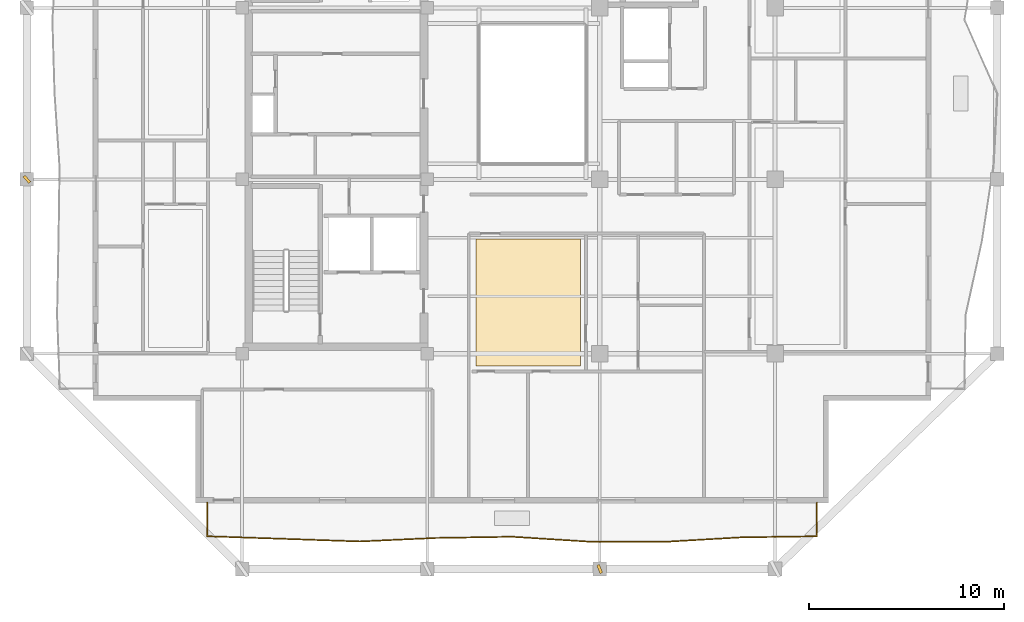
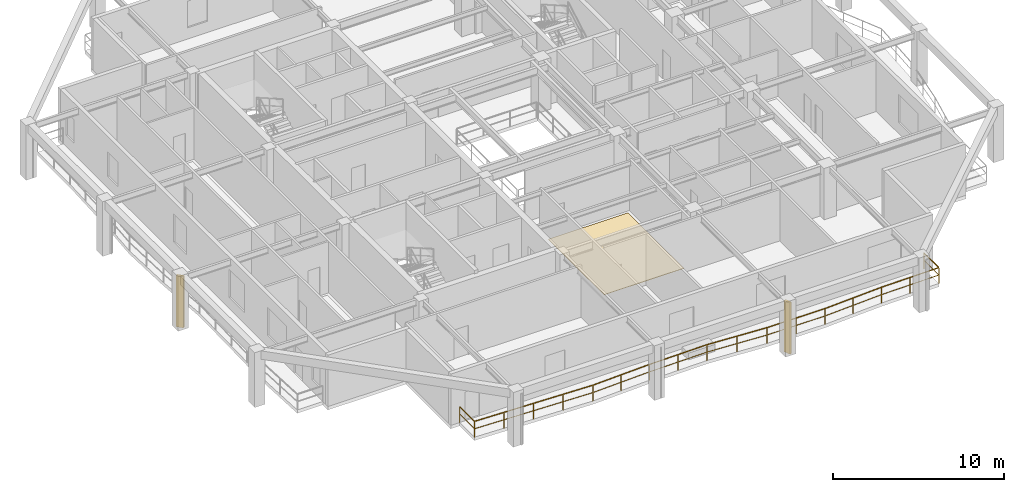
# One storey, part 8 of 12: 2 shading devices, 1 covering, 1 railing.
"""IFC4 building model written with IfcOpenShell, lengths in metres."""

import ifcopenshell
import ifcopenshell.guid

model = None  # the IFC model being written
_history = None  # IfcOwnerHistory: only IFC2X3 demands one
_inside = {}  # id of a spatial element -> (the spatial element, [elements in it])
_under = {}  # id of a project, library or spatial element -> (it, [spatial elements below it])
_declared = {}  # id of a project -> (the project, [libraries it declares])
_typed = {}  # id of a type object -> (the type object, [elements of that type])
_made_of = {}  # id of a material, layer set ... -> (it, [elements and type objects made of it])


def new_model(schema):
    """Start an empty IFC model of exactly this schema.

    Asked for "IFC4X3", IfcOpenShell would pick the latest addendum, in which some entities
    have other attributes; the version numbers below select the first issue.
    IFC2X3 requires an IfcOwnerHistory on every rooted entity: one is made here for all.
    """
    global model, _history
    if schema == "IFC4X3":
        model = ifcopenshell.file(schema_version=(4, 3, 0, 0))
    else:
        model = ifcopenshell.file(schema=schema)
    _inside.clear()
    _under.clear()
    _declared.clear()
    _typed.clear()
    _made_of.clear()
    _history = None
    if model.schema == "IFC2X3":
        org = make("IfcOrganization", Name="unknown")
        user = make(
            "IfcPersonAndOrganization",
            ThePerson=make("IfcPerson", FamilyName="unknown"),
            TheOrganization=org,
        )
        app = make(
            "IfcApplication",
            ApplicationDeveloper=org,
            Version="unknown",
            ApplicationFullName="unknown",
            ApplicationIdentifier="unknown",
        )
        _history = make(
            "IfcOwnerHistory",
            OwningUser=user,
            OwningApplication=app,
            ChangeAction="ADDED",
            CreationDate=0,
        )
    return model


def make(cls, **values):
    """One entity of the class cls with the attributes given. An attribute that is None is left unset."""
    return model.create_entity(
        cls, **{name: value for name, value in values.items() if value is not None}
    )


def rooted(cls, **values):
    """An entity with a GlobalId (a new one), such as an element, a storey or a relation."""
    return make(cls, GlobalId=ifcopenshell.guid.new(), OwnerHistory=_history, **values)


def si_unit(unit_type, name, prefix=None):
    """IfcSIUnit, for example si_unit("LENGTHUNIT", "METRE", prefix="MILLI")."""
    return make("IfcSIUnit", UnitType=unit_type, Prefix=prefix, Name=name)


def assignment(units):
    """IfcUnitAssignment: the units of a project."""
    return None if units is None else make("IfcUnitAssignment", Units=units)


def point(xyz):
    """IfcCartesianPoint."""
    return None if xyz is None else make("IfcCartesianPoint", Coordinates=xyz)


def direction(xyz):
    """IfcDirection."""
    return None if xyz is None else make("IfcDirection", DirectionRatios=xyz)


def frame(location, z_axis=None, x_axis=None):
    """IfcAxis2Placement3D, a coordinate frame: its origin and axes. An axis left out is left unset."""
    return make(
        "IfcAxis2Placement3D",
        Location=point(location),
        Axis=direction(z_axis),
        RefDirection=direction(x_axis),
    )


def frame_2d(location, x_axis=None):
    """IfcAxis2Placement2D, a coordinate frame in the plane: its origin and x axis."""
    return make(
        "IfcAxis2Placement2D", Location=point(location), RefDirection=direction(x_axis)
    )


def origin():
    """The frame at (0, 0, 0) with its axes left unset."""
    return frame((0.0, 0.0, 0.0))


def origin_2d():
    """The frame at (0, 0) in the plane with its x axis left unset."""
    return frame_2d((0.0, 0.0))


def place(relative_to, where):
    """IfcLocalPlacement: puts the frame where relative to a parent placement (None: the world)."""
    return make(
        "IfcLocalPlacement", PlacementRelTo=relative_to, RelativePlacement=where
    )


def context(
    kind, dimensions, precision=None, world=None, true_north=None, identifier=None
):
    """IfcGeometricRepresentationContext, for example the 3D "Model" context."""
    return make(
        "IfcGeometricRepresentationContext",
        ContextIdentifier=identifier,
        ContextType=kind,
        CoordinateSpaceDimension=dimensions,
        Precision=precision,
        WorldCoordinateSystem=world,
        TrueNorth=true_north,
    )


def subcontext(parent, identifier, kind, view, scale=None):
    """IfcGeometricRepresentationSubContext, for example "Body" below "Model"."""
    return make(
        "IfcGeometricRepresentationSubContext",
        ContextIdentifier=identifier,
        ContextType=kind,
        ParentContext=parent,
        TargetScale=scale,
        TargetView=view,
    )


def project(units=None, contexts=None):
    """IfcProject with its units and contexts."""
    return rooted(
        "IfcProject",
        Name="project",
        RepresentationContexts=contexts,
        UnitsInContext=assignment(units),
    )


def spatial(cls, under=None, at=None, **own):
    """A site, building, storey or space (cls), placed at a placement, below another one or the project."""
    s = rooted(cls, ObjectPlacement=at, **own)
    if under is not None:
        _under.setdefault(under.id(), (under, []))[1].append(s)
    return s


def polyline(points):
    """IfcPolyline through the points."""
    return make("IfcPolyline", Points=[point(p) for p in points])


def profile(cls, at=None, kind="AREA", **sizes):
    """A parametric profile (cls). Its sizes go by their IFC names, for example OverallWidth=200.0."""
    return make(cls, ProfileType=kind, Position=at, **sizes)


def rectangle(**sizes):
    """IfcRectangleProfileDef."""
    return profile("IfcRectangleProfileDef", **sizes)


def outline(outer, holes=None, kind="AREA"):
    """IfcArbitraryClosedProfileDef: a profile drawn as a closed curve; with holes, ...WithVoids."""
    if holes is None:
        return make("IfcArbitraryClosedProfileDef", ProfileType=kind, OuterCurve=outer)
    return make(
        "IfcArbitraryProfileDefWithVoids",
        ProfileType=kind,
        OuterCurve=outer,
        InnerCurves=holes,
    )


def extrude(swept, where, along, depth):
    """IfcExtrudedAreaSolid: the profile swept, set in the frame where, extruded along a direction by depth."""
    return make(
        "IfcExtrudedAreaSolid",
        SweptArea=swept,
        Position=where,
        ExtrudedDirection=direction(along),
        Depth=depth,
    )


def shape(context_of_items, identifier, shape_type, items):
    """IfcShapeRepresentation: the items that make up one representation, for example the "Body"."""
    return make(
        "IfcShapeRepresentation",
        ContextOfItems=context_of_items,
        RepresentationIdentifier=identifier,
        RepresentationType=shape_type,
        Items=items,
    )


def material(Name=None, Category=None):
    """IfcMaterial."""
    return make("IfcMaterial", Name=Name, Category=Category)


def layer(
    of_material, thickness, ventilated=None, Name=None, Category=None, Priority=None
):
    """IfcMaterialLayer: one layer of a wall or slab, of a material (None: an air gap)."""
    return make(
        "IfcMaterialLayer",
        Material=of_material,
        LayerThickness=thickness,
        IsVentilated=ventilated,
        Name=Name,
        Category=Category,
        Priority=Priority,
    )


def layer_set(layers, Name=None):
    """IfcMaterialLayerSet."""
    return make("IfcMaterialLayerSet", MaterialLayers=layers, LayerSetName=Name)


def made_of(thing, what):
    """Note that an element or type object is made of a material, layer set ...; save() writes the relation."""
    if what is not None:
        _made_of.setdefault(what.id(), (what, []))[1].append(thing)
    return thing


def type_object(cls, material=None, **own):
    """A type object (cls), such as IfcWallType, which elements share."""
    return made_of(rooted(cls, **own), material)


def element(
    cls,
    number,
    at=None,
    inside=None,
    cuts=None,
    type_object=None,
    material=None,
    context=None,
    identifier="Body",
    shape_type=None,
    held_by="IfcProductDefinitionShape",
    body=None,
    shapes=None,
    **own,
):
    """One element of the class cls, such as IfcWall. Its Tag is "e" and its number.

    at: its placement. inside: the storey or other place that contains it. cuts: it is an
    opening in that element (IfcRelVoidsElement). A single representation is given by context,
    identifier, shape_type and body (its items); several are given by shapes. held_by: the class
    of the entity that holds the representations. save() writes the other relations.
    """
    e = rooted(cls, Tag="e%d" % number, ObjectPlacement=at, **own)
    if body is not None:
        shapes = [shape(context, identifier, shape_type, body)]
    if shapes is not None:
        e.Representation = make(held_by, Representations=shapes)
    if inside is not None:
        _inside.setdefault(inside.id(), (inside, []))[1].append(e)
    if cuts is not None:
        rooted(
            "IfcRelVoidsElement", RelatingBuildingElement=cuts, RelatedOpeningElement=e
        )
    if type_object is not None:
        _typed.setdefault(type_object.id(), (type_object, []))[1].append(e)
    return made_of(e, material)


def aggregate(whole, parts):
    """IfcRelAggregates: a whole, such as a stair, and the parts it consists of."""
    return rooted("IfcRelAggregates", RelatingObject=whole, RelatedObjects=parts)


def save(model, path):
    """Write the relations noted so far, then the file.

    IfcRelAggregates (storeys below a building ...), IfcRelContainedInSpatialStructure (elements
    in a storey), IfcRelDefinesByType, IfcRelAssociatesMaterial and IfcRelDeclares: one each for
    every whole, place, type object, material and project.
    """
    for whole, parts in _under.values():
        aggregate(whole, parts)
    for where, things in _inside.values():
        rooted(
            "IfcRelContainedInSpatialStructure",
            RelatedElements=things,
            RelatingStructure=where,
        )
    for kind, things in _typed.values():
        rooted("IfcRelDefinesByType", RelatedObjects=things, RelatingType=kind)
    for what, things in _made_of.values():
        rooted("IfcRelAssociatesMaterial", RelatedObjects=things, RelatingMaterial=what)
    for by, libraries in _declared.values():
        rooted("IfcRelDeclares", RelatingContext=by, RelatedDefinitions=libraries)
    model.write(path)


model = new_model("IFC4")

# Units and contexts
model_context = context("Model", 3, precision=1e-05, world=origin(), true_north=direction((0.0, 1.0)))
body_context = subcontext(model_context, "Body", "Model", "MODEL_VIEW")
ifc_project = project(units=[si_unit("LENGTHUNIT", "METRE"), si_unit("AREAUNIT", "SQUARE_METRE"), si_unit("VOLUMEUNIT", "CUBIC_METRE"), si_unit("PLANEANGLEUNIT", "RADIAN"), si_unit("MASSUNIT", "GRAM", prefix="KILO")], contexts=[model_context])

# Site, building, storey
site_placement = place(None, origin())
site = spatial("IfcSite", under=ifc_project, at=site_placement, CompositionType="ELEMENT")
building_placement = place(site_placement, origin())
building = spatial("IfcBuilding", under=site, at=building_placement, Name="Kundavana Baori Tower", CompositionType="ELEMENT")
storey_placement = place(building_placement, frame((0.0, 0.0, 241.39990234375)))
storey = spatial("IfcBuildingStorey", under=building, at=storey_placement, Name="L59", CompositionType="ELEMENT", Elevation=241.39990234375)

# Covering
ifc_material_1 = material(Name="Honed Kota Stone and Terrazzo Flooring", Category="masonry")
ifc_layer = layer(ifc_material_1, 0.030029296875, Name="COV-INT-FLR")
ifc_layer_set = layer_set([ifc_layer], Name="Honed Kota Stone and Terrazzo Flooring")
covering_type = type_object("IfcCoveringType", Name="COV-INT-FLR", PredefinedType="FLOORING", material=ifc_layer_set)
covering_placement = place(storey_placement, origin())
element("IfcCovering", 1, at=covering_placement, inside=storey, type_object=covering_type, Name="L59 Room Finished Stone Flooring 3", PredefinedType="FLOORING", context=body_context, shape_type="SweptSolid", body=[
    extrude(outline(polyline([(27.43994140625, 14.6201171875), (32.81005859375, 14.6201171875), (32.81005859375, 21.139892578125), (27.43994140625, 21.139892578125), (27.43994140625, 14.6201171875)])), origin(), (0.0, 0.0, 1.0), 0.030029296875),
])

# Railing
ifc_material_2 = material(Name="Architectural Patinated Bronze Metalwork")
railing_type = type_object("IfcRailingType", Name="RL-BAL-1150", PredefinedType="BALUSTRADE", material=ifc_material_2)
railing_placement = place(storey_placement, frame((44.949951171875, 7.60009765625, 0.0)))
element("IfcRailing", 2, at=railing_placement, inside=storey, type_object=railing_type, Name="L59 Loggia Balcony Balustrade S", PredefinedType="BALUSTRADE", context=body_context, shape_type="SweptSolid", body=[
    extrude(rectangle(XDim=0.048095703125, YDim=0.048095703125, at=origin_2d()), frame((0.0, 0.0, 1.1259765625), z_axis=(0.0, -1.0, 0.0), x_axis=(1.0, 0.0, 0.0)), (0.0, 0.0, 1.0), 1.72021484375),
    extrude(rectangle(XDim=0.03125, YDim=0.03125, at=origin_2d()), frame((0.0, 0.0, 0.597900390625), z_axis=(0.0, -1.0, 0.0), x_axis=(1.0, 0.0, 0.0)), (0.0, 0.0, 1.0), 1.72021484375),
    extrude(rectangle(XDim=0.048095703125, YDim=0.048095703125, at=origin_2d()), frame((0.0, -1.72021484375, 1.1259765625), z_axis=(-0.999890627591, -0.014789619843, 0.0), x_axis=(0.014789619843, -0.999890627591, 0.0)), (0.0, 0.0, 1.0), 3.912353515625),
    extrude(rectangle(XDim=0.03125, YDim=0.03125, at=origin_2d()), frame((0.0, -1.72021484375, 0.597900390625), z_axis=(-0.999890627591, -0.014789619843, 0.0), x_axis=(0.014789619843, -0.999890627591, 0.0)), (0.0, 0.0, 1.0), 3.912353515625),
    extrude(rectangle(XDim=0.048095703125, YDim=0.048095703125, at=origin_2d()), frame((-3.911865234375, -1.778076171875, 1.1259765625), z_axis=(-0.998277378648, -0.058670906581, 0.0), x_axis=(0.058670906581, -0.998277378648, 0.0)), (0.0, 0.0, 1.0), 3.919921875),
    extrude(rectangle(XDim=0.03125, YDim=0.03125, at=origin_2d()), frame((-3.911865234375, -1.778076171875, 0.597900390625), z_axis=(-0.998277378648, -0.058670906581, 0.0), x_axis=(0.058670906581, -0.998277378648, 0.0)), (0.0, 0.0, 1.0), 3.919921875),
    extrude(rectangle(XDim=0.048095703125, YDim=0.048095703125, at=origin_2d()), frame((-7.824951171875, -2.008056640625, 1.1259765625), z_axis=(-0.999993673351, 0.003557141749, 0.0), x_axis=(-0.003557141749, -0.999993673351, 0.0)), (0.0, 0.0, 1.0), 3.912109375),
    extrude(rectangle(XDim=0.03125, YDim=0.03125, at=origin_2d()), frame((-7.824951171875, -2.008056640625, 0.597900390625), z_axis=(-0.999993673351, 0.003557141749, 0.0), x_axis=(-0.003557141749, -0.999993673351, 0.0)), (0.0, 0.0, 1.0), 3.912109375),
    extrude(rectangle(XDim=0.048095703125, YDim=0.048095703125, at=origin_2d()), frame((-11.737060546875, -1.994140625, 1.1259765625), z_axis=(-0.997996698184, 0.063266028911, 0.0), x_axis=(-0.063266028911, -0.997996698184, 0.0)), (0.0, 0.0, 1.0), 3.920654296875),
    extrude(rectangle(XDim=0.03125, YDim=0.03125, at=origin_2d()), frame((-11.737060546875, -1.994140625, 0.597900390625), z_axis=(-0.997996698184, 0.063266028911, 0.0), x_axis=(-0.063266028911, -0.997996698184, 0.0)), (0.0, 0.0, 1.0), 3.920654296875),
    extrude(rectangle(XDim=0.048095703125, YDim=0.048095703125, at=origin_2d()), frame((-15.64990234375, -1.74609375, 1.1259765625), z_axis=(-0.999870406531, -0.016098762162, 0.0), x_axis=(0.016098762162, -0.999870406531, 0.0)), (0.0, 0.0, 1.0), 3.91259765625),
    extrude(rectangle(XDim=0.03125, YDim=0.03125, at=origin_2d()), frame((-15.64990234375, -1.74609375, 0.597900390625), z_axis=(-0.999870406531, -0.016098762162, 0.0), x_axis=(0.016098762162, -0.999870406531, 0.0)), (0.0, 0.0, 1.0), 3.91259765625),
    extrude(rectangle(XDim=0.048095703125, YDim=0.048095703125, at=origin_2d()), frame((-19.56201171875, -1.80908203125, 1.1259765625), z_axis=(-0.99896712605, -0.04543876177, 0.0), x_axis=(0.04543876177, -0.99896712605, 0.0)), (0.0, 0.0, 1.0), 3.9169921875),
    extrude(rectangle(XDim=0.03125, YDim=0.03125, at=origin_2d()), frame((-19.56201171875, -1.80908203125, 0.597900390625), z_axis=(-0.99896712605, -0.04543876177, 0.0), x_axis=(0.04543876177, -0.99896712605, 0.0)), (0.0, 0.0, 1.0), 3.9169921875),
    extrude(rectangle(XDim=0.048095703125, YDim=0.048095703125, at=origin_2d()), frame((-23.474853515625, -1.987060546875, 1.1259765625), z_axis=(-0.999413896813, 0.03423248249, 0.0), x_axis=(-0.03423248249, -0.999413896813, 0.0)), (0.0, 0.0, 1.0), 3.915283203125),
    extrude(rectangle(XDim=0.03125, YDim=0.03125, at=origin_2d()), frame((-23.474853515625, -1.987060546875, 0.597900390625), z_axis=(-0.999413896813, 0.03423248249, 0.0), x_axis=(-0.03423248249, -0.999413896813, 0.0)), (0.0, 0.0, 1.0), 3.915283203125),
    extrude(rectangle(XDim=0.048095703125, YDim=0.048095703125, at=origin_2d()), frame((-27.387939453125, -1.85302734375, 1.1259765625), z_axis=(-0.999424227759, 0.03392952945, 0.0), x_axis=(-0.03392952945, -0.999424227759, 0.0)), (0.0, 0.0, 1.0), 3.914306640625),
    extrude(rectangle(XDim=0.03125, YDim=0.03125, at=origin_2d()), frame((-27.387939453125, -1.85302734375, 0.597900390625), z_axis=(-0.999424227759, 0.03392952945, 0.0), x_axis=(-0.03392952945, -0.999424227759, 0.0)), (0.0, 0.0, 1.0), 3.914306640625),
    extrude(rectangle(XDim=0.048095703125, YDim=0.048095703125, at=origin_2d()), frame((-31.300048828125, -1.72021484375, 1.1259765625), z_axis=(0.0, 1.0, 0.0), x_axis=(-1.0, 0.0, 0.0)), (0.0, 0.0, 1.0), 1.72021484375),
    extrude(rectangle(XDim=0.03125, YDim=0.03125, at=origin_2d()), frame((-31.300048828125, -1.72021484375, 0.597900390625), z_axis=(0.0, 1.0, 0.0), x_axis=(-1.0, 0.0, 0.0)), (0.0, 0.0, 1.0), 1.72021484375),
    extrude(rectangle(XDim=0.0419921875, YDim=0.0419921875, at=origin_2d()), origin(), (0.0, 0.0, 1.0), 1.101806640625),
    extrude(rectangle(XDim=0.0419921875, YDim=0.0419921875, at=origin_2d()), frame((0.0, -1.72021484375, 0.0)), (0.0, 0.0, 1.0), 1.101806640625),
    extrude(rectangle(XDim=0.0419921875, YDim=0.0419921875, at=origin_2d()), frame((-1.9560546875, -1.7490234375, 0.0)), (0.0, 0.0, 1.0), 1.101806640625),
    extrude(rectangle(XDim=0.0419921875, YDim=0.0419921875, at=origin_2d()), frame((-3.911865234375, -1.778076171875, 0.0)), (0.0, 0.0, 1.0), 1.101806640625),
    extrude(rectangle(XDim=0.0419921875, YDim=0.0419921875, at=origin_2d()), frame((-5.868408203125, -1.89306640625, 0.0)), (0.0, 0.0, 1.0), 1.101806640625),
    extrude(rectangle(XDim=0.0419921875, YDim=0.0419921875, at=origin_2d()), frame((-7.824951171875, -2.008056640625, 0.0)), (0.0, 0.0, 1.0), 1.101806640625),
    extrude(rectangle(XDim=0.0419921875, YDim=0.0419921875, at=origin_2d()), frame((-9.781005859375, -2.0009765625, 0.0)), (0.0, 0.0, 1.0), 1.101806640625),
    extrude(rectangle(XDim=0.0419921875, YDim=0.0419921875, at=origin_2d()), frame((-11.737060546875, -1.994140625, 0.0)), (0.0, 0.0, 1.0), 1.101806640625),
    extrude(rectangle(XDim=0.0419921875, YDim=0.0419921875, at=origin_2d()), frame((-13.693359375, -1.8701171875, 0.0)), (0.0, 0.0, 1.0), 1.101806640625),
    extrude(rectangle(XDim=0.0419921875, YDim=0.0419921875, at=origin_2d()), frame((-15.64990234375, -1.74609375, 0.0)), (0.0, 0.0, 1.0), 1.101806640625),
    extrude(rectangle(XDim=0.0419921875, YDim=0.0419921875, at=origin_2d()), frame((-17.60595703125, -1.777587890625, 0.0)), (0.0, 0.0, 1.0), 1.101806640625),
    extrude(rectangle(XDim=0.0419921875, YDim=0.0419921875, at=origin_2d()), frame((-19.56201171875, -1.80908203125, 0.0)), (0.0, 0.0, 1.0), 1.101806640625),
    extrude(rectangle(XDim=0.0419921875, YDim=0.0419921875, at=origin_2d()), frame((-21.5185546875, -1.89794921875, 0.0)), (0.0, 0.0, 1.0), 1.101806640625),
    extrude(rectangle(XDim=0.0419921875, YDim=0.0419921875, at=origin_2d()), frame((-23.474853515625, -1.987060546875, 0.0)), (0.0, 0.0, 1.0), 1.101806640625),
    extrude(rectangle(XDim=0.0419921875, YDim=0.0419921875, at=origin_2d()), frame((-25.431396484375, -1.919921875, 0.0)), (0.0, 0.0, 1.0), 1.101806640625),
    extrude(rectangle(XDim=0.0419921875, YDim=0.0419921875, at=origin_2d()), frame((-27.387939453125, -1.85302734375, 0.0)), (0.0, 0.0, 1.0), 1.101806640625),
    extrude(rectangle(XDim=0.0419921875, YDim=0.0419921875, at=origin_2d()), frame((-29.343994140625, -1.78662109375, 0.0)), (0.0, 0.0, 1.0), 1.101806640625),
    extrude(rectangle(XDim=0.0419921875, YDim=0.0419921875, at=origin_2d()), frame((-31.300048828125, -1.72021484375, 0.0)), (0.0, 0.0, 1.0), 1.101806640625),
    extrude(rectangle(XDim=0.0419921875, YDim=0.0419921875, at=origin_2d()), frame((-31.300048828125, 0.0, 0.0)), (0.0, 0.0, 1.0), 1.101806640625),
])

# Shading devices
ifc_material_3 = material(Name="Architectural Patinated Bronze Metalwork")
shading_device_type = type_object("IfcShadingDeviceType", Name="SHD-LOUV-450", PredefinedType="SHUTTER", material=ifc_material_3)
for number, where, z_axis, x_axis, name in (
    (3, (33.800048828125, 4.199951171875, 0.0), (0.0, 0.0, 1.0), (0.926922103901, 0.375253798515, 0.0), "L59 Sweeping Dholpur Sandstone Facade Fin 3"),
    (4, (4.39990234375, 24.199951171875, 0.0), (0.0, 0.0, 1.0), (0.74326159948, 0.669000892928, 0.0), "L59 Sweeping Dholpur Sandstone Facade Fin 6"),
):
    element("IfcShadingDevice", number, at=place(storey_placement, frame(where, z_axis=z_axis, x_axis=x_axis)), inside=storey, type_object=shading_device_type, Name=name, PredefinedType="SHUTTER", context=body_context, shape_type="SweptSolid", body=[
        extrude(rectangle(XDim=0.139892578125, YDim=0.449951171875, at=origin_2d()), origin(), (0.0, 0.0, 1.0), 3.659912109375),
    ])

save(model, "model.ifc")
